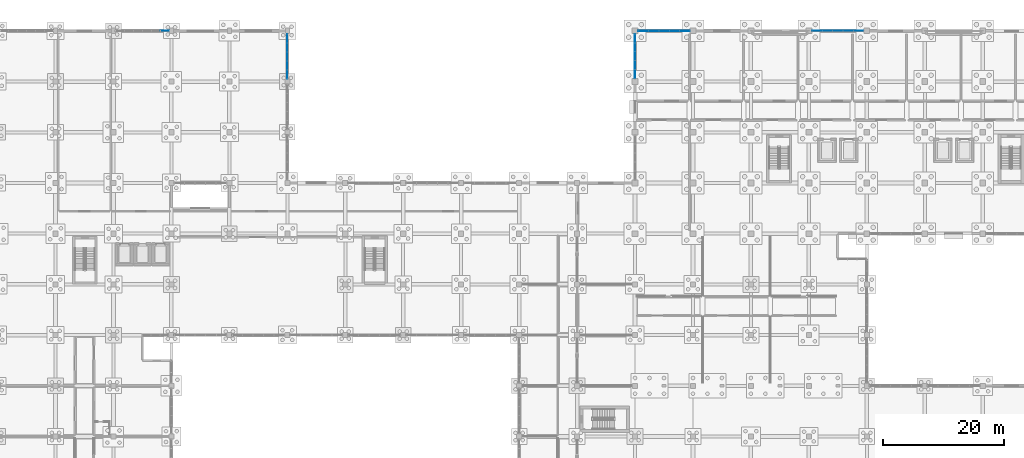
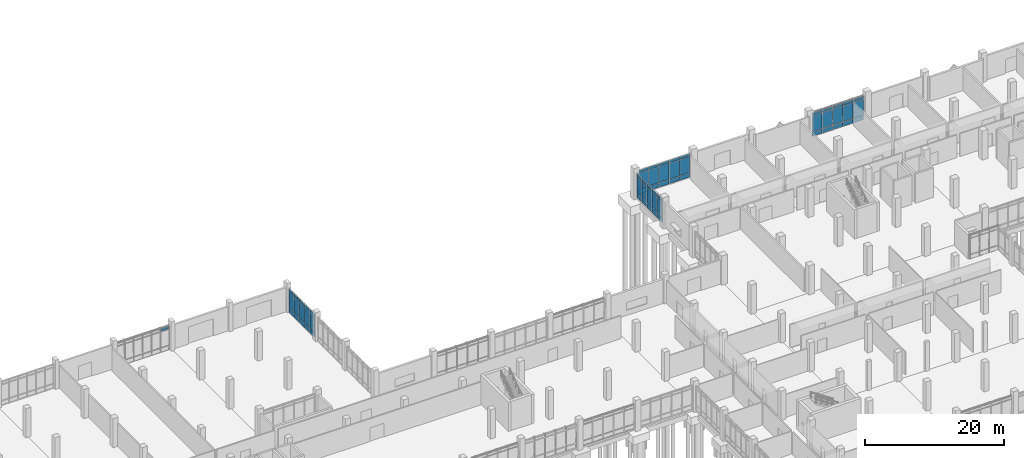
# One storey, part 92 of 136: 61 plates, 5 elements without a shape of their own.
"""IFC4 building model written with IfcOpenShell, lengths in metres."""

from ifc_helpers import new_model, si_unit, direction, frame, origin, origin_2d, place, context, subcontext, project, spatial, rectangle, extrude, material, layer, layer_set, type_object, element, aggregate, save


model = new_model("IFC4")

# Units and contexts
model_context = context("Model", 3, precision=1e-05, world=origin(), true_north=direction((0.0, 1.0)))
body_context = subcontext(model_context, "Body", "Model", "MODEL_VIEW")
ifc_project = project(units=[si_unit("LENGTHUNIT", "METRE"), si_unit("AREAUNIT", "SQUARE_METRE"), si_unit("VOLUMEUNIT", "CUBIC_METRE"), si_unit("PLANEANGLEUNIT", "RADIAN"), si_unit("MASSUNIT", "GRAM", prefix="KILO")], contexts=[model_context])

# Site, building, storey
site_placement = place(None, origin())
site = spatial("IfcSite", under=ifc_project, at=site_placement, CompositionType="ELEMENT")
building_placement = place(site_placement, origin())
building = spatial("IfcBuilding", under=site, at=building_placement, Name="Oolite Switchyard Hospital", CompositionType="ELEMENT")
storey_placement = place(building_placement, origin())
storey = spatial("IfcBuildingStorey", under=building, at=storey_placement, Name="L00", CompositionType="ELEMENT", Elevation=0.0)

# Curtain wall, plates
ifc_material_1 = material(Name="Thermally broken aluminum frame with laminated impact glazing", Category="aluminium")
curtain_wall_type_1 = type_object("IfcCurtainWallType", Name="CW-UNIT-96X51", PredefinedType="USERDEFINED", material=ifc_material_1)
curtain_wall_1_placement = place(storey_placement, origin())
curtain_wall_1 = element("IfcCurtainWall", 1, at=curtain_wall_1_placement, inside=storey, type_object=curtain_wall_type_1, Name="L00 Unitised Curtain Wall 49", ObjectType="UNITISED", PredefinedType="USERDEFINED")
ifc_material_2 = material(Name="Insulated fluoropolymer-coated aluminum spandrel panel", Category="aluminium")
ifc_layer_1 = layer(ifc_material_2, 0.054931640625)
ifc_layer_set_1 = layer_set([ifc_layer_1], Name="CW-PNL-SPN55")
plate_type_1 = type_object("IfcPlateType", Name="CW-PNL-SPN55", PredefinedType="CURTAIN_PANEL", material=ifc_layer_set_1)
plate_1_placement = place(storey_placement, frame((135.76953125, 134.39990234375, 0.0751953125), z_axis=(0.0, 0.0, 1.0), x_axis=(1.0, 0.0, 0.0)))
plate_1 = element("IfcPlate", 2, at=plate_1_placement, type_object=plate_type_1, Name="CW-01 panel 1.1", PredefinedType="CURTAIN_PANEL", context=body_context, shape_type="SweptSolid", body=[
    extrude(rectangle(XDim=1.618896484375, YDim=0.054931640625, at=origin_2d()), origin(), (0.0, 0.0, 1.0), 0.737548828125),
])
plate_2_placement = place(storey_placement, frame((135.76953125, 134.39990234375, 0.8876953125), z_axis=(0.0, 0.0, 1.0), x_axis=(1.0, 0.0, 0.0)))
plate_2 = element("IfcPlate", 3, at=plate_2_placement, type_object=plate_type_1, Name="CW-01 panel 1.2", PredefinedType="CURTAIN_PANEL", context=body_context, shape_type="SweptSolid", body=[
    extrude(rectangle(XDim=1.618896484375, YDim=0.054931640625, at=origin_2d()), origin(), (0.0, 0.0, 1.0), 2.764892578125),
])
plate_3_placement = place(storey_placement, frame((135.76953125, 134.39990234375, 3.7275390625), z_axis=(0.0, 0.0, 1.0), x_axis=(1.0, 0.0, 0.0)))
plate_3 = element("IfcPlate", 4, at=plate_3_placement, type_object=plate_type_1, Name="CW-01 panel 1.3", PredefinedType="CURTAIN_PANEL", context=body_context, shape_type="SweptSolid", body=[
    extrude(rectangle(XDim=1.618896484375, YDim=0.054931640625, at=origin_2d()), origin(), (0.0, 0.0, 1.0), 0.4375),
])
plate_4_placement = place(storey_placement, frame((137.47607421875, 134.39990234375, 0.0751953125), z_axis=(0.0, 0.0, 1.0), x_axis=(1.0, 0.0, 0.0)))
plate_4 = element("IfcPlate", 5, at=plate_4_placement, type_object=plate_type_1, Name="CW-01 panel 2.1", PredefinedType="CURTAIN_PANEL", context=body_context, shape_type="SweptSolid", body=[
    extrude(rectangle(XDim=1.654052734375, YDim=0.054931640625, at=origin_2d()), origin(), (0.0, 0.0, 1.0), 0.737548828125),
])
plate_5_placement = place(storey_placement, frame((137.47607421875, 134.39990234375, 0.8876953125), z_axis=(0.0, 0.0, 1.0), x_axis=(1.0, 0.0, 0.0)))
plate_5 = element("IfcPlate", 6, at=plate_5_placement, type_object=plate_type_1, Name="CW-01 panel 2.2", PredefinedType="CURTAIN_PANEL", context=body_context, shape_type="SweptSolid", body=[
    extrude(rectangle(XDim=1.654052734375, YDim=0.054931640625, at=origin_2d()), origin(), (0.0, 0.0, 1.0), 2.764892578125),
])
plate_6_placement = place(storey_placement, frame((137.47607421875, 134.39990234375, 3.7275390625), z_axis=(0.0, 0.0, 1.0), x_axis=(1.0, 0.0, 0.0)))
plate_6 = element("IfcPlate", 7, at=plate_6_placement, type_object=plate_type_1, Name="CW-01 panel 2.3", PredefinedType="CURTAIN_PANEL", context=body_context, shape_type="SweptSolid", body=[
    extrude(rectangle(XDim=1.654052734375, YDim=0.054931640625, at=origin_2d()), origin(), (0.0, 0.0, 1.0), 0.4375),
])
plate_7_placement = place(storey_placement, frame((139.199951171875, 134.39990234375, 0.0751953125), z_axis=(0.0, 0.0, 1.0), x_axis=(1.0, 0.0, 0.0)))
plate_7 = element("IfcPlate", 8, at=plate_7_placement, type_object=plate_type_1, Name="CW-01 panel 3.1", PredefinedType="CURTAIN_PANEL", context=body_context, shape_type="SweptSolid", body=[
    extrude(rectangle(XDim=1.654052734375, YDim=0.054931640625, at=origin_2d()), origin(), (0.0, 0.0, 1.0), 0.737548828125),
])
plate_8_placement = place(storey_placement, frame((139.199951171875, 134.39990234375, 0.8876953125), z_axis=(0.0, 0.0, 1.0), x_axis=(1.0, 0.0, 0.0)))
plate_8 = element("IfcPlate", 9, at=plate_8_placement, type_object=plate_type_1, Name="CW-01 panel 3.2", PredefinedType="CURTAIN_PANEL", context=body_context, shape_type="SweptSolid", body=[
    extrude(rectangle(XDim=1.654052734375, YDim=0.054931640625, at=origin_2d()), origin(), (0.0, 0.0, 1.0), 2.764892578125),
])
plate_9_placement = place(storey_placement, frame((139.199951171875, 134.39990234375, 3.7275390625), z_axis=(0.0, 0.0, 1.0), x_axis=(1.0, 0.0, 0.0)))
plate_9 = element("IfcPlate", 10, at=plate_9_placement, type_object=plate_type_1, Name="CW-01 panel 3.3", PredefinedType="CURTAIN_PANEL", context=body_context, shape_type="SweptSolid", body=[
    extrude(rectangle(XDim=1.654052734375, YDim=0.054931640625, at=origin_2d()), origin(), (0.0, 0.0, 1.0), 0.4375),
])
plate_10_placement = place(storey_placement, frame((140.924072265625, 134.39990234375, 0.0751953125), z_axis=(0.0, 0.0, 1.0), x_axis=(1.0, 0.0, 0.0)))
plate_10 = element("IfcPlate", 11, at=plate_10_placement, type_object=plate_type_1, Name="CW-01 panel 4.1", PredefinedType="CURTAIN_PANEL", context=body_context, shape_type="SweptSolid", body=[
    extrude(rectangle(XDim=1.654052734375, YDim=0.054931640625, at=origin_2d()), origin(), (0.0, 0.0, 1.0), 0.737548828125),
])
plate_11_placement = place(storey_placement, frame((140.924072265625, 134.39990234375, 0.8876953125), z_axis=(0.0, 0.0, 1.0), x_axis=(1.0, 0.0, 0.0)))
plate_11 = element("IfcPlate", 12, at=plate_11_placement, type_object=plate_type_1, Name="CW-01 panel 4.2", PredefinedType="CURTAIN_PANEL", context=body_context, shape_type="SweptSolid", body=[
    extrude(rectangle(XDim=1.654052734375, YDim=0.054931640625, at=origin_2d()), origin(), (0.0, 0.0, 1.0), 2.764892578125),
])
plate_12_placement = place(storey_placement, frame((140.924072265625, 134.39990234375, 3.7275390625), z_axis=(0.0, 0.0, 1.0), x_axis=(1.0, 0.0, 0.0)))
plate_12 = element("IfcPlate", 13, at=plate_12_placement, type_object=plate_type_1, Name="CW-01 panel 4.3", PredefinedType="CURTAIN_PANEL", context=body_context, shape_type="SweptSolid", body=[
    extrude(rectangle(XDim=1.654052734375, YDim=0.054931640625, at=origin_2d()), origin(), (0.0, 0.0, 1.0), 0.4375),
])
plate_13_placement = place(storey_placement, frame((142.630615234375, 134.39990234375, 0.0751953125), z_axis=(0.0, 0.0, 1.0), x_axis=(1.0, 0.0, 0.0)))
plate_13 = element("IfcPlate", 14, at=plate_13_placement, type_object=plate_type_1, Name="CW-01 panel 5.1", PredefinedType="CURTAIN_PANEL", context=body_context, shape_type="SweptSolid", body=[
    extrude(rectangle(XDim=1.618896484375, YDim=0.054931640625, at=origin_2d()), origin(), (0.0, 0.0, 1.0), 0.737548828125),
])
plate_14_placement = place(storey_placement, frame((142.630615234375, 134.39990234375, 0.8876953125), z_axis=(0.0, 0.0, 1.0), x_axis=(1.0, 0.0, 0.0)))
plate_14 = element("IfcPlate", 15, at=plate_14_placement, type_object=plate_type_1, Name="CW-01 panel 5.2", PredefinedType="CURTAIN_PANEL", context=body_context, shape_type="SweptSolid", body=[
    extrude(rectangle(XDim=1.618896484375, YDim=0.054931640625, at=origin_2d()), origin(), (0.0, 0.0, 1.0), 2.764892578125),
])
plate_15_placement = place(storey_placement, frame((142.630615234375, 134.39990234375, 3.7275390625), z_axis=(0.0, 0.0, 1.0), x_axis=(1.0, 0.0, 0.0)))
plate_15 = element("IfcPlate", 16, at=plate_15_placement, type_object=plate_type_1, Name="CW-01 panel 5.3", PredefinedType="CURTAIN_PANEL", context=body_context, shape_type="SweptSolid", body=[
    extrude(rectangle(XDim=1.618896484375, YDim=0.054931640625, at=origin_2d()), origin(), (0.0, 0.0, 1.0), 0.4375),
])
aggregate(curtain_wall_1, [plate_1, plate_2, plate_3, plate_4, plate_5, plate_6, plate_7, plate_8, plate_9, plate_10, plate_11, plate_12, plate_13, plate_14, plate_15])

curtain_wall_type_2 = type_object("IfcCurtainWallType", Name="CW-UNIT-84X51", PredefinedType="USERDEFINED", material=ifc_material_1)
curtain_wall_2_placement = place(storey_placement, origin())
curtain_wall_2 = element("IfcCurtainWall", 17, at=curtain_wall_2_placement, inside=storey, type_object=curtain_wall_type_2, Name="L00 Unitised Curtain Wall 66", ObjectType="UNITISED", PredefinedType="USERDEFINED")
plate_16_placement = place(storey_placement, frame((76.800048828125, 133.14794921875, 0.06005859375), z_axis=(0.0, 0.0, 1.0), x_axis=(0.0, -1.0, 0.0)))
plate_16 = element("IfcPlate", 18, at=plate_16_placement, type_object=plate_type_1, Name="CW-06 panel 1.1", PredefinedType="CURTAIN_PANEL", context=body_context, shape_type="SweptSolid", body=[
    extrude(rectangle(XDim=1.404052734375, YDim=0.054931640625, at=origin_2d()), origin(), (0.0, 0.0, 1.0), 0.760009765625),
])
plate_17_placement = place(storey_placement, frame((76.800048828125, 133.14794921875, 0.8798828125), z_axis=(0.0, 0.0, 1.0), x_axis=(0.0, -1.0, 0.0)))
plate_17 = element("IfcPlate", 19, at=plate_17_placement, type_object=plate_type_1, Name="CW-06 panel 1.2", PredefinedType="CURTAIN_PANEL", context=body_context, shape_type="SweptSolid", body=[
    extrude(rectangle(XDim=1.404052734375, YDim=0.054931640625, at=origin_2d()), origin(), (0.0, 0.0, 1.0), 2.780029296875),
])
plate_18_placement = place(storey_placement, frame((76.800048828125, 133.14794921875, 3.719970703125), z_axis=(0.0, 0.0, 1.0), x_axis=(0.0, -1.0, 0.0)))
plate_18 = element("IfcPlate", 20, at=plate_18_placement, type_object=plate_type_1, Name="CW-06 panel 1.3", PredefinedType="CURTAIN_PANEL", context=body_context, shape_type="SweptSolid", body=[
    extrude(rectangle(XDim=1.404052734375, YDim=0.054931640625, at=origin_2d()), origin(), (0.0, 0.0, 1.0), 0.4599609375),
])
plate_19_placement = place(storey_placement, frame((76.800048828125, 131.6689453125, 0.06005859375), z_axis=(0.0, 0.0, 1.0), x_axis=(0.0, -1.0, 0.0)))
plate_19 = element("IfcPlate", 21, at=plate_19_placement, type_object=plate_type_1, Name="CW-06 panel 2.1", PredefinedType="CURTAIN_PANEL", context=body_context, shape_type="SweptSolid", body=[
    extrude(rectangle(XDim=1.43408203125, YDim=0.054931640625, at=origin_2d()), origin(), (0.0, 0.0, 1.0), 0.760009765625),
])
plate_20_placement = place(storey_placement, frame((76.800048828125, 131.6689453125, 0.8798828125), z_axis=(0.0, 0.0, 1.0), x_axis=(0.0, -1.0, 0.0)))
plate_20 = element("IfcPlate", 22, at=plate_20_placement, type_object=plate_type_1, Name="CW-06 panel 2.2", PredefinedType="CURTAIN_PANEL", context=body_context, shape_type="SweptSolid", body=[
    extrude(rectangle(XDim=1.43408203125, YDim=0.054931640625, at=origin_2d()), origin(), (0.0, 0.0, 1.0), 2.780029296875),
])
plate_21_placement = place(storey_placement, frame((76.800048828125, 131.6689453125, 3.719970703125), z_axis=(0.0, 0.0, 1.0), x_axis=(0.0, -1.0, 0.0)))
plate_21 = element("IfcPlate", 23, at=plate_21_placement, type_object=plate_type_1, Name="CW-06 panel 2.3", PredefinedType="CURTAIN_PANEL", context=body_context, shape_type="SweptSolid", body=[
    extrude(rectangle(XDim=1.43408203125, YDim=0.054931640625, at=origin_2d()), origin(), (0.0, 0.0, 1.0), 0.4599609375),
])
plate_22_placement = place(storey_placement, frame((76.800048828125, 130.175048828125, 0.06005859375), z_axis=(0.0, 0.0, 1.0), x_axis=(0.0, -1.0, 0.0)))
plate_22 = element("IfcPlate", 24, at=plate_22_placement, type_object=plate_type_1, Name="CW-06 panel 3.1", PredefinedType="CURTAIN_PANEL", context=body_context, shape_type="SweptSolid", body=[
    extrude(rectangle(XDim=1.43408203125, YDim=0.054931640625, at=origin_2d()), origin(), (0.0, 0.0, 1.0), 0.760009765625),
])
plate_23_placement = place(storey_placement, frame((76.800048828125, 130.175048828125, 0.8798828125), z_axis=(0.0, 0.0, 1.0), x_axis=(0.0, -1.0, 0.0)))
plate_23 = element("IfcPlate", 25, at=plate_23_placement, type_object=plate_type_1, Name="CW-06 panel 3.2", PredefinedType="CURTAIN_PANEL", context=body_context, shape_type="SweptSolid", body=[
    extrude(rectangle(XDim=1.43408203125, YDim=0.054931640625, at=origin_2d()), origin(), (0.0, 0.0, 1.0), 2.780029296875),
])
plate_24_placement = place(storey_placement, frame((76.800048828125, 130.175048828125, 3.719970703125), z_axis=(0.0, 0.0, 1.0), x_axis=(0.0, -1.0, 0.0)))
plate_24 = element("IfcPlate", 26, at=plate_24_placement, type_object=plate_type_1, Name="CW-06 panel 3.3", PredefinedType="CURTAIN_PANEL", context=body_context, shape_type="SweptSolid", body=[
    extrude(rectangle(XDim=1.43408203125, YDim=0.054931640625, at=origin_2d()), origin(), (0.0, 0.0, 1.0), 0.4599609375),
])
plate_25_placement = place(storey_placement, frame((76.800048828125, 128.680908203125, 0.06005859375), z_axis=(0.0, 0.0, 1.0), x_axis=(0.0, -1.0, 0.0)))
plate_25 = element("IfcPlate", 27, at=plate_25_placement, type_object=plate_type_1, Name="CW-06 panel 4.1", PredefinedType="CURTAIN_PANEL", context=body_context, shape_type="SweptSolid", body=[
    extrude(rectangle(XDim=1.43408203125, YDim=0.054931640625, at=origin_2d()), origin(), (0.0, 0.0, 1.0), 0.760009765625),
])
plate_26_placement = place(storey_placement, frame((76.800048828125, 128.680908203125, 0.8798828125), z_axis=(0.0, 0.0, 1.0), x_axis=(0.0, -1.0, 0.0)))
plate_26 = element("IfcPlate", 28, at=plate_26_placement, type_object=plate_type_1, Name="CW-06 panel 4.2", PredefinedType="CURTAIN_PANEL", context=body_context, shape_type="SweptSolid", body=[
    extrude(rectangle(XDim=1.43408203125, YDim=0.054931640625, at=origin_2d()), origin(), (0.0, 0.0, 1.0), 2.780029296875),
])
plate_27_placement = place(storey_placement, frame((76.800048828125, 128.680908203125, 3.719970703125), z_axis=(0.0, 0.0, 1.0), x_axis=(0.0, -1.0, 0.0)))
plate_27 = element("IfcPlate", 29, at=plate_27_placement, type_object=plate_type_1, Name="CW-06 panel 4.3", PredefinedType="CURTAIN_PANEL", context=body_context, shape_type="SweptSolid", body=[
    extrude(rectangle(XDim=1.43408203125, YDim=0.054931640625, at=origin_2d()), origin(), (0.0, 0.0, 1.0), 0.4599609375),
])
plate_28_placement = place(storey_placement, frame((76.800048828125, 127.201904296875, 0.06005859375), z_axis=(0.0, 0.0, 1.0), x_axis=(0.0, -1.0, 0.0)))
plate_28 = element("IfcPlate", 30, at=plate_28_placement, type_object=plate_type_1, Name="CW-06 panel 5.1", PredefinedType="CURTAIN_PANEL", context=body_context, shape_type="SweptSolid", body=[
    extrude(rectangle(XDim=1.404052734375, YDim=0.054931640625, at=origin_2d()), origin(), (0.0, 0.0, 1.0), 0.760009765625),
])
plate_29_placement = place(storey_placement, frame((76.800048828125, 127.201904296875, 0.8798828125), z_axis=(0.0, 0.0, 1.0), x_axis=(0.0, -1.0, 0.0)))
plate_29 = element("IfcPlate", 31, at=plate_29_placement, type_object=plate_type_1, Name="CW-06 panel 5.2", PredefinedType="CURTAIN_PANEL", context=body_context, shape_type="SweptSolid", body=[
    extrude(rectangle(XDim=1.404052734375, YDim=0.054931640625, at=origin_2d()), origin(), (0.0, 0.0, 1.0), 2.780029296875),
])
plate_30_placement = place(storey_placement, frame((76.800048828125, 127.201904296875, 3.719970703125), z_axis=(0.0, 0.0, 1.0), x_axis=(0.0, -1.0, 0.0)))
plate_30 = element("IfcPlate", 32, at=plate_30_placement, type_object=plate_type_1, Name="CW-06 panel 5.3", PredefinedType="CURTAIN_PANEL", context=body_context, shape_type="SweptSolid", body=[
    extrude(rectangle(XDim=1.404052734375, YDim=0.054931640625, at=origin_2d()), origin(), (0.0, 0.0, 1.0), 0.4599609375),
])
aggregate(curtain_wall_2, [plate_16, plate_17, plate_18, plate_19, plate_20, plate_21, plate_22, plate_23, plate_24, plate_25, plate_26, plate_27, plate_28, plate_29, plate_30])

curtain_wall_3_placement = place(storey_placement, origin())
curtain_wall_3 = element("IfcCurtainWall", 33, at=curtain_wall_3_placement, inside=storey, type_object=curtain_wall_type_2, Name="L00 Unitised Curtain Wall 74", ObjectType="UNITISED", PredefinedType="USERDEFINED")
plate_31_placement = place(storey_placement, frame((134.39990234375, 127.250732421875, 0.06005859375), z_axis=(0.0, 0.0, 1.0), x_axis=(0.0, 1.0, 0.0)))
plate_31 = element("IfcPlate", 34, at=plate_31_placement, type_object=plate_type_1, Name="CW-06 panel 1.1", PredefinedType="CURTAIN_PANEL", context=body_context, shape_type="SweptSolid", body=[
    extrude(rectangle(XDim=1.37158203125, YDim=0.054931640625, at=origin_2d()), origin(), (0.0, 0.0, 1.0), 0.760009765625),
])
plate_32_placement = place(storey_placement, frame((134.39990234375, 127.250732421875, 0.8798828125), z_axis=(0.0, 0.0, 1.0), x_axis=(0.0, 1.0, 0.0)))
plate_32 = element("IfcPlate", 35, at=plate_32_placement, type_object=plate_type_1, Name="CW-06 panel 1.2", PredefinedType="CURTAIN_PANEL", context=body_context, shape_type="SweptSolid", body=[
    extrude(rectangle(XDim=1.37158203125, YDim=0.054931640625, at=origin_2d()), origin(), (0.0, 0.0, 1.0), 2.780029296875),
])
plate_33_placement = place(storey_placement, frame((134.39990234375, 127.250732421875, 3.719970703125), z_axis=(0.0, 0.0, 1.0), x_axis=(0.0, 1.0, 0.0)))
plate_33 = element("IfcPlate", 36, at=plate_33_placement, type_object=plate_type_1, Name="CW-06 panel 1.3", PredefinedType="CURTAIN_PANEL", context=body_context, shape_type="SweptSolid", body=[
    extrude(rectangle(XDim=1.37158203125, YDim=0.054931640625, at=origin_2d()), origin(), (0.0, 0.0, 1.0), 0.4599609375),
])
plate_34_placement = place(storey_placement, frame((134.39990234375, 128.716064453125, 0.06005859375), z_axis=(0.0, 0.0, 1.0), x_axis=(0.0, 1.0, 0.0)))
plate_34 = element("IfcPlate", 37, at=plate_34_placement, type_object=plate_type_1, Name="CW-06 panel 2.1", PredefinedType="CURTAIN_PANEL", context=body_context, shape_type="SweptSolid", body=[
    extrude(rectangle(XDim=1.408935546875, YDim=0.054931640625, at=origin_2d()), origin(), (0.0, 0.0, 1.0), 0.760009765625),
])
plate_35_placement = place(storey_placement, frame((134.39990234375, 128.716064453125, 0.8798828125), z_axis=(0.0, 0.0, 1.0), x_axis=(0.0, 1.0, 0.0)))
plate_35 = element("IfcPlate", 38, at=plate_35_placement, type_object=plate_type_1, Name="CW-06 panel 2.2", PredefinedType="CURTAIN_PANEL", context=body_context, shape_type="SweptSolid", body=[
    extrude(rectangle(XDim=1.408935546875, YDim=0.054931640625, at=origin_2d()), origin(), (0.0, 0.0, 1.0), 2.780029296875),
])
plate_36_placement = place(storey_placement, frame((134.39990234375, 128.716064453125, 3.719970703125), z_axis=(0.0, 0.0, 1.0), x_axis=(0.0, 1.0, 0.0)))
plate_36 = element("IfcPlate", 39, at=plate_36_placement, type_object=plate_type_1, Name="CW-06 panel 2.3", PredefinedType="CURTAIN_PANEL", context=body_context, shape_type="SweptSolid", body=[
    extrude(rectangle(XDim=1.408935546875, YDim=0.054931640625, at=origin_2d()), origin(), (0.0, 0.0, 1.0), 0.4599609375),
])
plate_37_placement = place(storey_placement, frame((134.39990234375, 130.199951171875, 0.06005859375), z_axis=(0.0, 0.0, 1.0), x_axis=(0.0, 1.0, 0.0)))
plate_37 = element("IfcPlate", 40, at=plate_37_placement, type_object=plate_type_1, Name="CW-06 panel 3.1", PredefinedType="CURTAIN_PANEL", context=body_context, shape_type="SweptSolid", body=[
    extrude(rectangle(XDim=1.408935546875, YDim=0.054931640625, at=origin_2d()), origin(), (0.0, 0.0, 1.0), 0.760009765625),
])
plate_38_placement = place(storey_placement, frame((134.39990234375, 130.199951171875, 0.8798828125), z_axis=(0.0, 0.0, 1.0), x_axis=(0.0, 1.0, 0.0)))
plate_38 = element("IfcPlate", 41, at=plate_38_placement, type_object=plate_type_1, Name="CW-06 panel 3.2", PredefinedType="CURTAIN_PANEL", context=body_context, shape_type="SweptSolid", body=[
    extrude(rectangle(XDim=1.408935546875, YDim=0.054931640625, at=origin_2d()), origin(), (0.0, 0.0, 1.0), 2.780029296875),
])
plate_39_placement = place(storey_placement, frame((134.39990234375, 130.199951171875, 3.719970703125), z_axis=(0.0, 0.0, 1.0), x_axis=(0.0, 1.0, 0.0)))
plate_39 = element("IfcPlate", 42, at=plate_39_placement, type_object=plate_type_1, Name="CW-06 panel 3.3", PredefinedType="CURTAIN_PANEL", context=body_context, shape_type="SweptSolid", body=[
    extrude(rectangle(XDim=1.408935546875, YDim=0.054931640625, at=origin_2d()), origin(), (0.0, 0.0, 1.0), 0.4599609375),
])
plate_40_placement = place(storey_placement, frame((134.39990234375, 131.68408203125, 0.06005859375), z_axis=(0.0, 0.0, 1.0), x_axis=(0.0, 1.0, 0.0)))
plate_40 = element("IfcPlate", 43, at=plate_40_placement, type_object=plate_type_1, Name="CW-06 panel 4.1", PredefinedType="CURTAIN_PANEL", context=body_context, shape_type="SweptSolid", body=[
    extrude(rectangle(XDim=1.408935546875, YDim=0.054931640625, at=origin_2d()), origin(), (0.0, 0.0, 1.0), 0.760009765625),
])
plate_41_placement = place(storey_placement, frame((134.39990234375, 131.68408203125, 0.8798828125), z_axis=(0.0, 0.0, 1.0), x_axis=(0.0, 1.0, 0.0)))
plate_41 = element("IfcPlate", 44, at=plate_41_placement, type_object=plate_type_1, Name="CW-06 panel 4.2", PredefinedType="CURTAIN_PANEL", context=body_context, shape_type="SweptSolid", body=[
    extrude(rectangle(XDim=1.408935546875, YDim=0.054931640625, at=origin_2d()), origin(), (0.0, 0.0, 1.0), 2.780029296875),
])
plate_42_placement = place(storey_placement, frame((134.39990234375, 131.68408203125, 3.719970703125), z_axis=(0.0, 0.0, 1.0), x_axis=(0.0, 1.0, 0.0)))
plate_42 = element("IfcPlate", 45, at=plate_42_placement, type_object=plate_type_1, Name="CW-06 panel 4.3", PredefinedType="CURTAIN_PANEL", context=body_context, shape_type="SweptSolid", body=[
    extrude(rectangle(XDim=1.408935546875, YDim=0.054931640625, at=origin_2d()), origin(), (0.0, 0.0, 1.0), 0.4599609375),
])
plate_43_placement = place(storey_placement, frame((134.39990234375, 133.149169921875, 0.06005859375), z_axis=(0.0, 0.0, 1.0), x_axis=(0.0, 1.0, 0.0)))
plate_43 = element("IfcPlate", 46, at=plate_43_placement, type_object=plate_type_1, Name="CW-06 panel 5.1", PredefinedType="CURTAIN_PANEL", context=body_context, shape_type="SweptSolid", body=[
    extrude(rectangle(XDim=1.37158203125, YDim=0.054931640625, at=origin_2d()), origin(), (0.0, 0.0, 1.0), 0.760009765625),
])
plate_44_placement = place(storey_placement, frame((134.39990234375, 133.149169921875, 0.8798828125), z_axis=(0.0, 0.0, 1.0), x_axis=(0.0, 1.0, 0.0)))
plate_44 = element("IfcPlate", 47, at=plate_44_placement, type_object=plate_type_1, Name="CW-06 panel 5.2", PredefinedType="CURTAIN_PANEL", context=body_context, shape_type="SweptSolid", body=[
    extrude(rectangle(XDim=1.37158203125, YDim=0.054931640625, at=origin_2d()), origin(), (0.0, 0.0, 1.0), 2.780029296875),
])
plate_45_placement = place(storey_placement, frame((134.39990234375, 133.149169921875, 3.719970703125), z_axis=(0.0, 0.0, 1.0), x_axis=(0.0, 1.0, 0.0)))
plate_45 = element("IfcPlate", 48, at=plate_45_placement, type_object=plate_type_1, Name="CW-06 panel 5.3", PredefinedType="CURTAIN_PANEL", context=body_context, shape_type="SweptSolid", body=[
    extrude(rectangle(XDim=1.37158203125, YDim=0.054931640625, at=origin_2d()), origin(), (0.0, 0.0, 1.0), 0.4599609375),
])
aggregate(curtain_wall_3, [plate_31, plate_32, plate_33, plate_34, plate_35, plate_36, plate_37, plate_38, plate_39, plate_40, plate_41, plate_42, plate_43, plate_44, plate_45])

# Curtain wall, plate
curtain_wall_4_placement = place(storey_placement, origin())
curtain_wall_4 = element("IfcCurtainWall", 49, at=curtain_wall_4_placement, inside=storey, type_object=curtain_wall_type_1, Name="L00 Unitised Curtain Wall 48", ObjectType="UNITISED", PredefinedType="USERDEFINED")
ifc_material_3 = material(Name="Laminated hurricane-impact insulated glazing unit", Category="glass")
ifc_layer_2 = layer(ifc_material_3, 0.028076171875)
ifc_layer_set_2 = layer_set([ifc_layer_2], Name="CW-PNL-VIS28")
plate_type_2 = type_object("IfcPlateType", Name="CW-PNL-VIS28", PredefinedType="CURTAIN_PANEL", material=ifc_layer_set_2)
plate_46_placement = place(storey_placement, frame((56.501708984375, 134.39990234375, 3.719970703125), z_axis=(0.0, 0.0, 1.0), x_axis=(1.0, 0.0, 0.0)))
plate_46 = element("IfcPlate", 50, at=plate_46_placement, type_object=plate_type_2, Name="CW-01 panel 6.3", PredefinedType="CURTAIN_PANEL", context=body_context, shape_type="SweptSolid", body=[
    extrude(rectangle(XDim=1.396728515625, YDim=0.028076171875, at=origin_2d()), origin(), (0.0, 0.0, 1.0), 0.4599609375),
])
aggregate(curtain_wall_4, [plate_46])

# Curtain wall, plates
curtain_wall_5_placement = place(storey_placement, origin())
curtain_wall_5 = element("IfcCurtainWall", 51, at=curtain_wall_5_placement, inside=storey, type_object=curtain_wall_type_1, Name="L00 Unitised Curtain Wall 50", ObjectType="UNITISED", PredefinedType="USERDEFINED")
ifc_layer_3 = layer(ifc_material_3, 0.035888671875)
ifc_layer_set_3 = layer_set([ifc_layer_3], Name="CW-PNL-VIS36")
plate_type_3 = type_object("IfcPlateType", Name="CW-PNL-VIS36", PredefinedType="CURTAIN_PANEL", material=ifc_layer_set_3)
plate_47_placement = place(storey_placement, frame((164.57080078125, 134.39990234375, 0.06005859375), z_axis=(0.0, 0.0, 1.0), x_axis=(1.0, 0.0, 0.0)))
plate_47 = element("IfcPlate", 52, at=plate_47_placement, type_object=plate_type_3, Name="CW-01 panel 1.1", PredefinedType="CURTAIN_PANEL", context=body_context, shape_type="SweptSolid", body=[
    extrude(rectangle(XDim=1.611572265625, YDim=0.035888671875, at=origin_2d()), origin(), (0.0, 0.0, 1.0), 0.760009765625),
])
plate_48_placement = place(storey_placement, frame((164.57080078125, 134.39990234375, 0.8798828125), z_axis=(0.0, 0.0, 1.0), x_axis=(1.0, 0.0, 0.0)))
plate_48 = element("IfcPlate", 53, at=plate_48_placement, type_object=plate_type_3, Name="CW-01 panel 1.2", PredefinedType="CURTAIN_PANEL", context=body_context, shape_type="SweptSolid", body=[
    extrude(rectangle(XDim=1.611572265625, YDim=0.035888671875, at=origin_2d()), origin(), (0.0, 0.0, 1.0), 2.780029296875),
])
plate_49_placement = place(storey_placement, frame((164.57080078125, 134.39990234375, 3.719970703125), z_axis=(0.0, 0.0, 1.0), x_axis=(1.0, 0.0, 0.0)))
plate_49 = element("IfcPlate", 54, at=plate_49_placement, type_object=plate_type_3, Name="CW-01 panel 1.3", PredefinedType="CURTAIN_PANEL", context=body_context, shape_type="SweptSolid", body=[
    extrude(rectangle(XDim=1.611572265625, YDim=0.035888671875, at=origin_2d()), origin(), (0.0, 0.0, 1.0), 0.4599609375),
])
plate_50_placement = place(storey_placement, frame((166.27587890625, 134.39990234375, 0.06005859375), z_axis=(0.0, 0.0, 1.0), x_axis=(1.0, 0.0, 0.0)))
plate_50 = element("IfcPlate", 55, at=plate_50_placement, type_object=plate_type_3, Name="CW-01 panel 2.1", PredefinedType="CURTAIN_PANEL", context=body_context, shape_type="SweptSolid", body=[
    extrude(rectangle(XDim=1.64892578125, YDim=0.035888671875, at=origin_2d()), origin(), (0.0, 0.0, 1.0), 0.760009765625),
])
plate_51_placement = place(storey_placement, frame((166.27587890625, 134.39990234375, 0.8798828125), z_axis=(0.0, 0.0, 1.0), x_axis=(1.0, 0.0, 0.0)))
plate_51 = element("IfcPlate", 56, at=plate_51_placement, type_object=plate_type_3, Name="CW-01 panel 2.2", PredefinedType="CURTAIN_PANEL", context=body_context, shape_type="SweptSolid", body=[
    extrude(rectangle(XDim=1.64892578125, YDim=0.035888671875, at=origin_2d()), origin(), (0.0, 0.0, 1.0), 2.780029296875),
])
plate_52_placement = place(storey_placement, frame((166.27587890625, 134.39990234375, 3.719970703125), z_axis=(0.0, 0.0, 1.0), x_axis=(1.0, 0.0, 0.0)))
plate_52 = element("IfcPlate", 57, at=plate_52_placement, type_object=plate_type_3, Name="CW-01 panel 2.3", PredefinedType="CURTAIN_PANEL", context=body_context, shape_type="SweptSolid", body=[
    extrude(rectangle(XDim=1.64892578125, YDim=0.035888671875, at=origin_2d()), origin(), (0.0, 0.0, 1.0), 0.4599609375),
])
plate_53_placement = place(storey_placement, frame((168.0, 134.39990234375, 0.06005859375), z_axis=(0.0, 0.0, 1.0), x_axis=(1.0, 0.0, 0.0)))
plate_53 = element("IfcPlate", 58, at=plate_53_placement, type_object=plate_type_3, Name="CW-01 panel 3.1", PredefinedType="CURTAIN_PANEL", context=body_context, shape_type="SweptSolid", body=[
    extrude(rectangle(XDim=1.64892578125, YDim=0.035888671875, at=origin_2d()), origin(), (0.0, 0.0, 1.0), 0.760009765625),
])
plate_54_placement = place(storey_placement, frame((168.0, 134.39990234375, 0.8798828125), z_axis=(0.0, 0.0, 1.0), x_axis=(1.0, 0.0, 0.0)))
plate_54 = element("IfcPlate", 59, at=plate_54_placement, type_object=plate_type_3, Name="CW-01 panel 3.2", PredefinedType="CURTAIN_PANEL", context=body_context, shape_type="SweptSolid", body=[
    extrude(rectangle(XDim=1.64892578125, YDim=0.035888671875, at=origin_2d()), origin(), (0.0, 0.0, 1.0), 2.780029296875),
])
plate_55_placement = place(storey_placement, frame((168.0, 134.39990234375, 3.719970703125), z_axis=(0.0, 0.0, 1.0), x_axis=(1.0, 0.0, 0.0)))
plate_55 = element("IfcPlate", 60, at=plate_55_placement, type_object=plate_type_3, Name="CW-01 panel 3.3", PredefinedType="CURTAIN_PANEL", context=body_context, shape_type="SweptSolid", body=[
    extrude(rectangle(XDim=1.64892578125, YDim=0.035888671875, at=origin_2d()), origin(), (0.0, 0.0, 1.0), 0.4599609375),
])
plate_56_placement = place(storey_placement, frame((169.72412109375, 134.39990234375, 0.06005859375), z_axis=(0.0, 0.0, 1.0), x_axis=(1.0, 0.0, 0.0)))
plate_56 = element("IfcPlate", 61, at=plate_56_placement, type_object=plate_type_3, Name="CW-01 panel 4.1", PredefinedType="CURTAIN_PANEL", context=body_context, shape_type="SweptSolid", body=[
    extrude(rectangle(XDim=1.64892578125, YDim=0.035888671875, at=origin_2d()), origin(), (0.0, 0.0, 1.0), 0.760009765625),
])
plate_57_placement = place(storey_placement, frame((169.72412109375, 134.39990234375, 0.8798828125), z_axis=(0.0, 0.0, 1.0), x_axis=(1.0, 0.0, 0.0)))
plate_57 = element("IfcPlate", 62, at=plate_57_placement, type_object=plate_type_3, Name="CW-01 panel 4.2", PredefinedType="CURTAIN_PANEL", context=body_context, shape_type="SweptSolid", body=[
    extrude(rectangle(XDim=1.64892578125, YDim=0.035888671875, at=origin_2d()), origin(), (0.0, 0.0, 1.0), 2.780029296875),
])
plate_58_placement = place(storey_placement, frame((169.72412109375, 134.39990234375, 3.719970703125), z_axis=(0.0, 0.0, 1.0), x_axis=(1.0, 0.0, 0.0)))
plate_58 = element("IfcPlate", 63, at=plate_58_placement, type_object=plate_type_3, Name="CW-01 panel 4.3", PredefinedType="CURTAIN_PANEL", context=body_context, shape_type="SweptSolid", body=[
    extrude(rectangle(XDim=1.64892578125, YDim=0.035888671875, at=origin_2d()), origin(), (0.0, 0.0, 1.0), 0.4599609375),
])
plate_59_placement = place(storey_placement, frame((171.42919921875, 134.39990234375, 0.06005859375), z_axis=(0.0, 0.0, 1.0), x_axis=(1.0, 0.0, 0.0)))
plate_59 = element("IfcPlate", 64, at=plate_59_placement, type_object=plate_type_3, Name="CW-01 panel 5.1", PredefinedType="CURTAIN_PANEL", context=body_context, shape_type="SweptSolid", body=[
    extrude(rectangle(XDim=1.611572265625, YDim=0.035888671875, at=origin_2d()), origin(), (0.0, 0.0, 1.0), 0.760009765625),
])
plate_60_placement = place(storey_placement, frame((171.42919921875, 134.39990234375, 0.8798828125), z_axis=(0.0, 0.0, 1.0), x_axis=(1.0, 0.0, 0.0)))
plate_60 = element("IfcPlate", 65, at=plate_60_placement, type_object=plate_type_3, Name="CW-01 panel 5.2", PredefinedType="CURTAIN_PANEL", context=body_context, shape_type="SweptSolid", body=[
    extrude(rectangle(XDim=1.611572265625, YDim=0.035888671875, at=origin_2d()), origin(), (0.0, 0.0, 1.0), 2.780029296875),
])
plate_61_placement = place(storey_placement, frame((171.42919921875, 134.39990234375, 3.719970703125), z_axis=(0.0, 0.0, 1.0), x_axis=(1.0, 0.0, 0.0)))
plate_61 = element("IfcPlate", 66, at=plate_61_placement, type_object=plate_type_3, Name="CW-01 panel 5.3", PredefinedType="CURTAIN_PANEL", context=body_context, shape_type="SweptSolid", body=[
    extrude(rectangle(XDim=1.611572265625, YDim=0.035888671875, at=origin_2d()), origin(), (0.0, 0.0, 1.0), 0.4599609375),
])
aggregate(curtain_wall_5, [plate_47, plate_48, plate_49, plate_50, plate_51, plate_52, plate_53, plate_54, plate_55, plate_56, plate_57, plate_58, plate_59, plate_60, plate_61])

save(model, "model.ifc")
